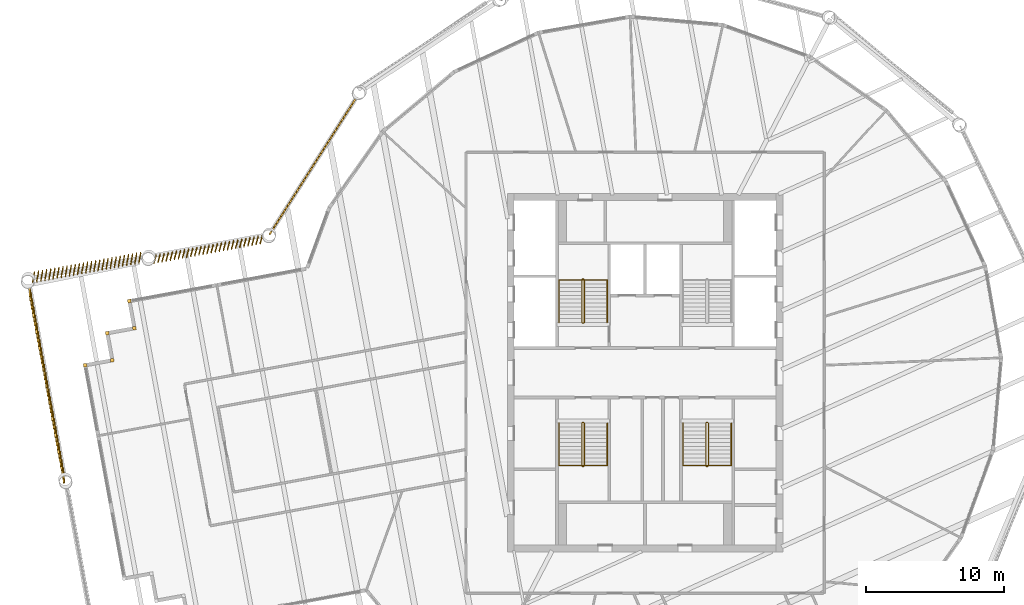
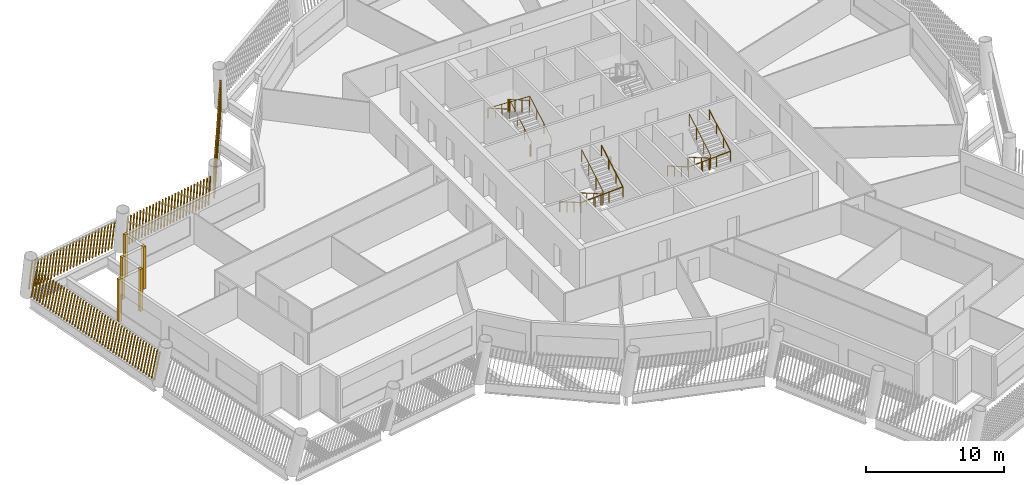
# One storey, part 12 of 15: 9 shading devices, 6 railings.
"""IFC4 building model written with IfcOpenShell, lengths in metres."""

from ifc_helpers import new_model, si_unit, direction, frame, frame_2d, origin, origin_2d, place, context, subcontext, project, spatial, rectangle, circle, composite_profile, extrude, material, type_object, element, save


model = new_model("IFC4")

# Units and contexts
model_context = context("Model", 3, precision=1e-05, world=origin(), true_north=direction((0.0, 1.0)))
body_context = subcontext(model_context, "Body", "Model", "MODEL_VIEW")
ifc_project = project(units=[si_unit("LENGTHUNIT", "METRE"), si_unit("AREAUNIT", "SQUARE_METRE"), si_unit("VOLUMEUNIT", "CUBIC_METRE"), si_unit("PLANEANGLEUNIT", "RADIAN"), si_unit("MASSUNIT", "GRAM", prefix="KILO")], contexts=[model_context])

# Site, building, storey
site_placement = place(None, origin())
site = spatial("IfcSite", under=ifc_project, at=site_placement, CompositionType="ELEMENT")
building_placement = place(site_placement, origin())
building = spatial("IfcBuilding", under=site, at=building_placement, Name="Tarsis Ring Headquarters", CompositionType="ELEMENT")
storey_placement = place(building_placement, frame((0.0, 0.0, 327.5)))
storey = spatial("IfcBuildingStorey", under=building, at=storey_placement, Name="L77", CompositionType="ELEMENT", Elevation=327.5)

# Railings
ifc_material_1 = material(Name="Steel S355", Category="steel")
railing_type_1 = type_object("IfcRailingType", Name="Core stair guard 1100", PredefinedType="GUARDRAIL", material=ifc_material_1)
railing_1_placement = place(storey_placement, frame((-4.5400390625, 3.610107421875, 0.0)))
element("IfcRailing", 1, at=railing_1_placement, inside=storey, type_object=railing_type_1, Name="L77 ST1 stair guard 1", PredefinedType="GUARDRAIL", context=body_context, shape_type="SweptSolid", body=[
    extrude(circle(Radius=0.02392578125, at=origin_2d()), frame((0.0, 0.0, 1.076171875), z_axis=(1.0, 0.0, 0.0), x_axis=(0.0, 1.0, 0.0)), (0.0, 0.0, 1.0), 0.080078125),
    extrude(circle(Radius=0.02392578125, at=origin_2d()), frame((0.080078125, 0.0, 1.076171875), z_axis=(0.282336740067, 0.280959487676, 0.917250092119), x_axis=(-0.705375805398, 0.708833529934, 0.0)), (0.0, 0.0, 1.0), 0.17724609375),
    extrude(circle(Radius=0.02392578125, at=origin_2d()), frame((0.130126953125, 0.0498046875, 1.23876953125), z_axis=(0.0, 0.864920483161, 0.501908913857), x_axis=(-1.0, 0.0, 0.0)), (0.0, 0.0, 1.0), 3.56103515625),
    extrude(circle(Radius=0.02392578125, at=origin_2d()), frame((0.130126953125, 3.1298828125, 3.02587890625), z_axis=(-0.707106781187, 0.707106781187, 0.0), x_axis=(-0.707106781187, -0.707106781187, 0.0)), (0.0, 0.0, 1.0), 0.07080078125),
    extrude(circle(Radius=0.02392578125, at=origin_2d()), frame((0.080078125, 3.179931640625, 3.02587890625), z_axis=(-1.0, 0.0, 0.0), x_axis=(0.0, -1.0, 0.0)), (0.0, 0.0, 1.0), 0.080078125),
    extrude(circle(Radius=0.02392578125, at=origin_2d()), frame((0.0, 3.179931640625, 3.02587890625), z_axis=(-0.282227285176, -0.282227285176, 0.916894497205), x_axis=(0.707106781187, -0.707106781187, 0.0)), (0.0, 0.0, 1.0), 0.17724609375),
    extrude(circle(Radius=0.02392578125, at=origin_2d()), frame((-0.050048828125, 3.1298828125, 3.1884765625), z_axis=(0.0, -0.864920483161, 0.501908913857), x_axis=(1.0, 0.0, 0.0)), (0.0, 0.0, 1.0), 3.56103515625),
    extrude(circle(Radius=0.02099609375, at=origin_2d()), origin(), (0.0, 0.0, 1.0), 1.052001953125),
    extrude(circle(Radius=0.02099609375, at=origin_2d()), frame((0.080078125, 0.0, 0.0)), (0.0, 0.0, 1.0), 1.052001953125),
    extrude(circle(Radius=0.02099609375, at=origin_2d()), frame((0.130126953125, 0.0498046875, 0.16259765625)), (0.0, 0.0, 1.0), 1.052001953125),
    extrude(circle(Radius=0.02099609375, at=origin_2d()), frame((0.130126953125, 1.076416015625, 0.75830078125)), (0.0, 0.0, 1.0), 1.052001953125),
    extrude(circle(Radius=0.02099609375, at=origin_2d()), frame((0.130126953125, 2.103271484375, 1.354248046875)), (0.0, 0.0, 1.0), 1.052001953125),
    extrude(circle(Radius=0.02099609375, at=origin_2d()), frame((0.130126953125, 3.1298828125, 1.949951171875)), (0.0, 0.0, 1.0), 1.052001953125),
    extrude(circle(Radius=0.02099609375, at=origin_2d()), frame((0.080078125, 3.179931640625, 1.949951171875)), (0.0, 0.0, 1.0), 1.052001953125),
    extrude(circle(Radius=0.02099609375, at=origin_2d()), frame((0.0, 3.179931640625, 1.949951171875)), (0.0, 0.0, 1.0), 1.052001953125),
    extrude(circle(Radius=0.02099609375, at=origin_2d()), frame((-0.050048828125, 3.1298828125, 2.112548828125)), (0.0, 0.0, 1.0), 1.052001953125),
    extrude(circle(Radius=0.02099609375, at=origin_2d()), frame((-0.050048828125, 2.103271484375, 2.708251953125)), (0.0, 0.0, 1.0), 1.052001953125),
    extrude(circle(Radius=0.02099609375, at=origin_2d()), frame((-0.050048828125, 1.076416015625, 3.30419921875)), (0.0, 0.0, 1.0), 1.052001953125),
    extrude(circle(Radius=0.02099609375, at=origin_2d()), frame((-0.050048828125, 0.0498046875, 3.89990234375)), (0.0, 0.0, 1.0), 1.052001953125),
])
railing_2_placement = place(storey_placement, frame((-4.4599609375, -3.610107421875, 0.0)))
element("IfcRailing", 2, at=railing_2_placement, inside=storey, type_object=railing_type_1, Name="L77 ST3 stair guard 1", PredefinedType="GUARDRAIL", context=body_context, shape_type="SweptSolid", body=[
    extrude(circle(Radius=0.02392578125, at=origin_2d()), frame((0.0, 0.0, 1.076171875), z_axis=(-1.0, 0.0, 0.0), x_axis=(0.0, -1.0, 0.0)), (0.0, 0.0, 1.0), 0.080078125),
    extrude(circle(Radius=0.02392578125, at=origin_2d()), frame((-0.080078125, 0.0, 1.076171875), z_axis=(-0.282336740067, -0.280959487676, 0.917250092119), x_axis=(0.705375805398, -0.708833529934, 0.0)), (0.0, 0.0, 1.0), 0.17724609375),
    extrude(circle(Radius=0.02392578125, at=origin_2d()), frame((-0.130126953125, -0.0498046875, 1.23876953125), z_axis=(0.0, -0.864920483161, 0.501908913857), x_axis=(1.0, 0.0, 0.0)), (0.0, 0.0, 1.0), 3.56103515625),
    extrude(circle(Radius=0.02392578125, at=origin_2d()), frame((-0.130126953125, -3.1298828125, 3.02587890625), z_axis=(0.707106781187, -0.707106781187, 0.0), x_axis=(0.707106781187, 0.707106781187, 0.0)), (0.0, 0.0, 1.0), 0.07080078125),
    extrude(circle(Radius=0.02392578125, at=origin_2d()), frame((-0.080078125, -3.179931640625, 3.02587890625), z_axis=(1.0, 0.0, 0.0), x_axis=(0.0, 1.0, 0.0)), (0.0, 0.0, 1.0), 0.080078125),
    extrude(circle(Radius=0.02392578125, at=origin_2d()), frame((0.0, -3.179931640625, 3.02587890625), z_axis=(0.282227285176, 0.282227285176, 0.916894497205), x_axis=(-0.707106781187, 0.707106781187, 0.0)), (0.0, 0.0, 1.0), 0.17724609375),
    extrude(circle(Radius=0.02392578125, at=origin_2d()), frame((0.050048828125, -3.1298828125, 3.1884765625), z_axis=(0.0, 0.864920483161, 0.501908913857), x_axis=(-1.0, 0.0, 0.0)), (0.0, 0.0, 1.0), 3.56103515625),
    extrude(circle(Radius=0.02099609375, at=origin_2d()), origin(), (0.0, 0.0, 1.0), 1.052001953125),
    extrude(circle(Radius=0.02099609375, at=origin_2d()), frame((-0.080078125, 0.0, 0.0)), (0.0, 0.0, 1.0), 1.052001953125),
    extrude(circle(Radius=0.02099609375, at=origin_2d()), frame((-0.130126953125, -0.0498046875, 0.16259765625)), (0.0, 0.0, 1.0), 1.052001953125),
    extrude(circle(Radius=0.02099609375, at=origin_2d()), frame((-0.130126953125, -1.076416015625, 0.75830078125)), (0.0, 0.0, 1.0), 1.052001953125),
    extrude(circle(Radius=0.02099609375, at=origin_2d()), frame((-0.130126953125, -2.103271484375, 1.354248046875)), (0.0, 0.0, 1.0), 1.052001953125),
    extrude(circle(Radius=0.02099609375, at=origin_2d()), frame((-0.130126953125, -3.1298828125, 1.949951171875)), (0.0, 0.0, 1.0), 1.052001953125),
    extrude(circle(Radius=0.02099609375, at=origin_2d()), frame((-0.080078125, -3.179931640625, 1.949951171875)), (0.0, 0.0, 1.0), 1.052001953125),
    extrude(circle(Radius=0.02099609375, at=origin_2d()), frame((0.0, -3.179931640625, 1.949951171875)), (0.0, 0.0, 1.0), 1.052001953125),
    extrude(circle(Radius=0.02099609375, at=origin_2d()), frame((0.050048828125, -3.1298828125, 2.112548828125)), (0.0, 0.0, 1.0), 1.052001953125),
    extrude(circle(Radius=0.02099609375, at=origin_2d()), frame((0.050048828125, -2.103271484375, 2.708251953125)), (0.0, 0.0, 1.0), 1.052001953125),
    extrude(circle(Radius=0.02099609375, at=origin_2d()), frame((0.050048828125, -1.076416015625, 3.30419921875)), (0.0, 0.0, 1.0), 1.052001953125),
    extrude(circle(Radius=0.02099609375, at=origin_2d()), frame((0.050048828125, -0.0498046875, 3.89990234375)), (0.0, 0.0, 1.0), 1.052001953125),
])
railing_3_placement = place(storey_placement, frame((4.5400390625, -3.610107421875, 0.0)))
element("IfcRailing", 3, at=railing_3_placement, inside=storey, type_object=railing_type_1, Name="L77 ST4 stair guard 1", PredefinedType="GUARDRAIL", context=body_context, shape_type="SweptSolid", body=[
    extrude(circle(Radius=0.02392578125, at=origin_2d()), frame((0.0, 0.0, 1.076171875), z_axis=(-1.0, 0.0, 0.0), x_axis=(0.0, -1.0, 0.0)), (0.0, 0.0, 1.0), 0.080078125),
    extrude(circle(Radius=0.02392578125, at=origin_2d()), frame((-0.080078125, 0.0, 1.076171875), z_axis=(-0.282336740067, -0.280959487676, 0.917250092119), x_axis=(0.705375805398, -0.708833529934, 0.0)), (0.0, 0.0, 1.0), 0.17724609375),
    extrude(circle(Radius=0.02392578125, at=origin_2d()), frame((-0.130126953125, -0.0498046875, 1.23876953125), z_axis=(0.0, -0.864920483161, 0.501908913857), x_axis=(1.0, 0.0, 0.0)), (0.0, 0.0, 1.0), 3.56103515625),
    extrude(circle(Radius=0.02392578125, at=origin_2d()), frame((-0.130126953125, -3.1298828125, 3.02587890625), z_axis=(0.707106781187, -0.707106781187, 0.0), x_axis=(0.707106781187, 0.707106781187, 0.0)), (0.0, 0.0, 1.0), 0.07080078125),
    extrude(circle(Radius=0.02392578125, at=origin_2d()), frame((-0.080078125, -3.179931640625, 3.02587890625), z_axis=(1.0, 0.0, 0.0), x_axis=(0.0, 1.0, 0.0)), (0.0, 0.0, 1.0), 0.080078125),
    extrude(circle(Radius=0.02392578125, at=origin_2d()), frame((0.0, -3.179931640625, 3.02587890625), z_axis=(0.282227285176, 0.282227285176, 0.916894497205), x_axis=(-0.707106781187, 0.707106781187, 0.0)), (0.0, 0.0, 1.0), 0.17724609375),
    extrude(circle(Radius=0.02392578125, at=origin_2d()), frame((0.050048828125, -3.1298828125, 3.1884765625), z_axis=(0.0, 0.864920483161, 0.501908913857), x_axis=(-1.0, 0.0, 0.0)), (0.0, 0.0, 1.0), 3.56103515625),
    extrude(circle(Radius=0.02099609375, at=origin_2d()), origin(), (0.0, 0.0, 1.0), 1.052001953125),
    extrude(circle(Radius=0.02099609375, at=origin_2d()), frame((-0.080078125, 0.0, 0.0)), (0.0, 0.0, 1.0), 1.052001953125),
    extrude(circle(Radius=0.02099609375, at=origin_2d()), frame((-0.130126953125, -0.0498046875, 0.16259765625)), (0.0, 0.0, 1.0), 1.052001953125),
    extrude(circle(Radius=0.02099609375, at=origin_2d()), frame((-0.130126953125, -1.076416015625, 0.75830078125)), (0.0, 0.0, 1.0), 1.052001953125),
    extrude(circle(Radius=0.02099609375, at=origin_2d()), frame((-0.130126953125, -2.103271484375, 1.354248046875)), (0.0, 0.0, 1.0), 1.052001953125),
    extrude(circle(Radius=0.02099609375, at=origin_2d()), frame((-0.130126953125, -3.1298828125, 1.949951171875)), (0.0, 0.0, 1.0), 1.052001953125),
    extrude(circle(Radius=0.02099609375, at=origin_2d()), frame((-0.080078125, -3.179931640625, 1.949951171875)), (0.0, 0.0, 1.0), 1.052001953125),
    extrude(circle(Radius=0.02099609375, at=origin_2d()), frame((0.0, -3.179931640625, 1.949951171875)), (0.0, 0.0, 1.0), 1.052001953125),
    extrude(circle(Radius=0.02099609375, at=origin_2d()), frame((0.050048828125, -3.1298828125, 2.112548828125)), (0.0, 0.0, 1.0), 1.052001953125),
    extrude(circle(Radius=0.02099609375, at=origin_2d()), frame((0.050048828125, -2.103271484375, 2.708251953125)), (0.0, 0.0, 1.0), 1.052001953125),
    extrude(circle(Radius=0.02099609375, at=origin_2d()), frame((0.050048828125, -1.076416015625, 3.30419921875)), (0.0, 0.0, 1.0), 1.052001953125),
    extrude(circle(Radius=0.02099609375, at=origin_2d()), frame((0.050048828125, -0.0498046875, 3.89990234375)), (0.0, 0.0, 1.0), 1.052001953125),
])
railing_type_2 = type_object("IfcRailingType", Name="Core stair handrail 900", PredefinedType="HANDRAIL", material=ifc_material_1)
railing_4_placement = place(storey_placement, frame((-2.75, 3.659912109375, 0.16259765625)))
element("IfcRailing", 4, at=railing_4_placement, inside=storey, type_object=railing_type_2, Name="L77 ST1 stair handrail 1", PredefinedType="HANDRAIL", context=body_context, shape_type="SweptSolid", body=[
    extrude(circle(Radius=0.02392578125, at=origin_2d()), frame((0.0, 0.0, 0.8759765625), z_axis=(0.0, 0.864920483161, 0.501908913857), x_axis=(-1.0, 0.0, 0.0)), (0.0, 0.0, 1.0), 3.56103515625),
    extrude(circle(Radius=0.02392578125, at=origin_2d()), frame((0.0, 3.080078125, 2.6630859375), z_axis=(-0.998922641604, 0.0, 0.046406422943), x_axis=(0.0, -1.0, 0.0)), (0.0, 0.0, 1.0), 3.503662109375),
    extrude(circle(Radius=0.02392578125, at=origin_2d()), frame((-3.5, 3.080078125, 2.82568359375), z_axis=(0.0, -0.864920483161, 0.501908913857), x_axis=(1.0, 0.0, 0.0)), (0.0, 0.0, 1.0), 3.56103515625),
    extrude(circle(Radius=0.02099609375, at=origin_2d()), origin(), (0.0, 0.0, 1.0), 0.851806640625),
    extrude(circle(Radius=0.02099609375, at=origin_2d()), frame((0.0, 1.026611328125, 0.595703125)), (0.0, 0.0, 1.0), 0.851806640625),
    extrude(circle(Radius=0.02099609375, at=origin_2d()), frame((0.0, 2.053466796875, 1.191650390625)), (0.0, 0.0, 1.0), 0.851806640625),
    extrude(circle(Radius=0.02099609375, at=origin_2d()), frame((0.0, 3.080078125, 1.787353515625)), (0.0, 0.0, 1.0), 0.851806640625),
    extrude(circle(Radius=0.02099609375, at=origin_2d()), frame((-1.166748046875, 3.080078125, 1.841552734375)), (0.0, 0.0, 1.0), 0.851806640625),
    extrude(circle(Radius=0.02099609375, at=origin_2d()), frame((-2.333251953125, 3.080078125, 1.895751953125)), (0.0, 0.0, 1.0), 0.851806640625),
    extrude(circle(Radius=0.02099609375, at=origin_2d()), frame((-3.5, 3.080078125, 1.949951171875)), (0.0, 0.0, 1.0), 0.851806640625),
    extrude(circle(Radius=0.02099609375, at=origin_2d()), frame((-3.5, 2.053466796875, 2.545654296875)), (0.0, 0.0, 1.0), 0.851806640625),
    extrude(circle(Radius=0.02099609375, at=origin_2d()), frame((-3.5, 1.026611328125, 3.1416015625)), (0.0, 0.0, 1.0), 0.851806640625),
    extrude(circle(Radius=0.02099609375, at=origin_2d()), frame((-3.5, 0.0, 3.7373046875)), (0.0, 0.0, 1.0), 0.851806640625),
])
railing_5_placement = place(storey_placement, frame((-6.25, -3.659912109375, 0.16259765625)))
element("IfcRailing", 5, at=railing_5_placement, inside=storey, type_object=railing_type_2, Name="L77 ST3 stair handrail 1", PredefinedType="HANDRAIL", context=body_context, shape_type="SweptSolid", body=[
    extrude(circle(Radius=0.02392578125, at=origin_2d()), frame((0.0, 0.0, 0.8759765625), z_axis=(0.0, -0.864920483161, 0.501908913857), x_axis=(1.0, 0.0, 0.0)), (0.0, 0.0, 1.0), 3.56103515625),
    extrude(circle(Radius=0.02392578125, at=origin_2d()), frame((0.0, -3.080078125, 2.6630859375), z_axis=(0.998922641604, 0.0, 0.046406422943), x_axis=(0.0, 1.0, 0.0)), (0.0, 0.0, 1.0), 3.503662109375),
    extrude(circle(Radius=0.02392578125, at=origin_2d()), frame((3.5, -3.080078125, 2.82568359375), z_axis=(0.0, 0.864920483161, 0.501908913857), x_axis=(-1.0, 0.0, 0.0)), (0.0, 0.0, 1.0), 3.56103515625),
    extrude(circle(Radius=0.02099609375, at=origin_2d()), origin(), (0.0, 0.0, 1.0), 0.851806640625),
    extrude(circle(Radius=0.02099609375, at=origin_2d()), frame((0.0, -1.026611328125, 0.595703125)), (0.0, 0.0, 1.0), 0.851806640625),
    extrude(circle(Radius=0.02099609375, at=origin_2d()), frame((0.0, -2.053466796875, 1.191650390625)), (0.0, 0.0, 1.0), 0.851806640625),
    extrude(circle(Radius=0.02099609375, at=origin_2d()), frame((0.0, -3.080078125, 1.787353515625)), (0.0, 0.0, 1.0), 0.851806640625),
    extrude(circle(Radius=0.02099609375, at=origin_2d()), frame((1.166748046875, -3.080078125, 1.841552734375)), (0.0, 0.0, 1.0), 0.851806640625),
    extrude(circle(Radius=0.02099609375, at=origin_2d()), frame((2.333251953125, -3.080078125, 1.895751953125)), (0.0, 0.0, 1.0), 0.851806640625),
    extrude(circle(Radius=0.02099609375, at=origin_2d()), frame((3.5, -3.080078125, 1.949951171875)), (0.0, 0.0, 1.0), 0.851806640625),
    extrude(circle(Radius=0.02099609375, at=origin_2d()), frame((3.5, -2.053466796875, 2.545654296875)), (0.0, 0.0, 1.0), 0.851806640625),
    extrude(circle(Radius=0.02099609375, at=origin_2d()), frame((3.5, -1.026611328125, 3.1416015625)), (0.0, 0.0, 1.0), 0.851806640625),
    extrude(circle(Radius=0.02099609375, at=origin_2d()), frame((3.5, 0.0, 3.7373046875)), (0.0, 0.0, 1.0), 0.851806640625),
])
railing_6_placement = place(storey_placement, frame((2.75, -3.659912109375, 0.16259765625)))
element("IfcRailing", 6, at=railing_6_placement, inside=storey, type_object=railing_type_2, Name="L77 ST4 stair handrail 1", PredefinedType="HANDRAIL", context=body_context, shape_type="SweptSolid", body=[
    extrude(circle(Radius=0.02392578125, at=origin_2d()), frame((0.0, 0.0, 0.8759765625), z_axis=(0.0, -0.864920483161, 0.501908913857), x_axis=(1.0, 0.0, 0.0)), (0.0, 0.0, 1.0), 3.56103515625),
    extrude(circle(Radius=0.02392578125, at=origin_2d()), frame((0.0, -3.080078125, 2.6630859375), z_axis=(0.998922641604, 0.0, 0.046406422943), x_axis=(0.0, 1.0, 0.0)), (0.0, 0.0, 1.0), 3.503662109375),
    extrude(circle(Radius=0.02392578125, at=origin_2d()), frame((3.5, -3.080078125, 2.82568359375), z_axis=(0.0, 0.864920483161, 0.501908913857), x_axis=(-1.0, 0.0, 0.0)), (0.0, 0.0, 1.0), 3.56103515625),
    extrude(circle(Radius=0.02099609375, at=origin_2d()), origin(), (0.0, 0.0, 1.0), 0.851806640625),
    extrude(circle(Radius=0.02099609375, at=origin_2d()), frame((0.0, -1.026611328125, 0.595703125)), (0.0, 0.0, 1.0), 0.851806640625),
    extrude(circle(Radius=0.02099609375, at=origin_2d()), frame((0.0, -2.053466796875, 1.191650390625)), (0.0, 0.0, 1.0), 0.851806640625),
    extrude(circle(Radius=0.02099609375, at=origin_2d()), frame((0.0, -3.080078125, 1.787353515625)), (0.0, 0.0, 1.0), 0.851806640625),
    extrude(circle(Radius=0.02099609375, at=origin_2d()), frame((1.166748046875, -3.080078125, 1.841552734375)), (0.0, 0.0, 1.0), 0.851806640625),
    extrude(circle(Radius=0.02099609375, at=origin_2d()), frame((2.333251953125, -3.080078125, 1.895751953125)), (0.0, 0.0, 1.0), 0.851806640625),
    extrude(circle(Radius=0.02099609375, at=origin_2d()), frame((3.5, -3.080078125, 1.949951171875)), (0.0, 0.0, 1.0), 0.851806640625),
    extrude(circle(Radius=0.02099609375, at=origin_2d()), frame((3.5, -2.053466796875, 2.545654296875)), (0.0, 0.0, 1.0), 0.851806640625),
    extrude(circle(Radius=0.02099609375, at=origin_2d()), frame((3.5, -1.026611328125, 3.1416015625)), (0.0, 0.0, 1.0), 0.851806640625),
    extrude(circle(Radius=0.02099609375, at=origin_2d()), frame((3.5, 0.0, 3.7373046875)), (0.0, 0.0, 1.0), 0.851806640625),
])

# Shading devices
ifc_material_2 = material(Name="Terracotta baguette", Category="masonry")
shading_device_type_1 = type_object("IfcShadingDeviceType", Name="Terracotta baguette screen", PredefinedType="USERDEFINED", material=ifc_material_2)
shading_device_1_placement = place(storey_placement, frame((-20.9609375, 19.96435546875, 0.0), z_axis=(0.0, 0.0, 1.0), x_axis=(-0.535843733044, -0.844319045035, 0.0)))
element("IfcShadingDevice", 7, at=shading_device_1_placement, inside=storey, type_object=shading_device_type_1, Name="Baguette screen L77-14", ObjectType="Terracotta baguette screen", PredefinedType="USERDEFINED", context=body_context, shape_type="SweptSolid", body=[
    extrude(composite_profile([rectangle(XDim=0.06005859375, YDim=0.1201171875, at=frame_2d((0.030029296875, 0.0))), rectangle(XDim=0.06005859375, YDim=0.1201171875, at=frame_2d((0.33251953125, 0.0))), rectangle(XDim=0.06005859375, YDim=0.1201171875, at=frame_2d((0.634765625, 0.0))), rectangle(XDim=0.06005859375, YDim=0.1201171875, at=frame_2d((0.937255859375, 0.0))), rectangle(XDim=0.06005859375, YDim=0.1201171875, at=frame_2d((1.239501953125, 0.0))), rectangle(XDim=0.06005859375, YDim=0.1201171875, at=frame_2d((1.5419921875, 0.0))), rectangle(XDim=0.06005859375, YDim=0.1201171875, at=frame_2d((1.844482421875, 0.0))), rectangle(XDim=0.06005859375, YDim=0.1201171875, at=frame_2d((2.146728515625, 0.0))), rectangle(XDim=0.06005859375, YDim=0.1201171875, at=frame_2d((2.44921875, 0.0))), rectangle(XDim=0.06005859375, YDim=0.1201171875, at=frame_2d((2.751708984375, 0.0))), rectangle(XDim=0.06005859375, YDim=0.1201171875, at=frame_2d((3.053955078125, 0.0))), rectangle(XDim=0.06005859375, YDim=0.1201171875, at=frame_2d((3.3564453125, 0.0))), rectangle(XDim=0.06005859375, YDim=0.1201171875, at=frame_2d((3.65869140625, 0.0))), rectangle(XDim=0.06005859375, YDim=0.1201171875, at=frame_2d((3.961181640625, 0.0))), rectangle(XDim=0.06005859375, YDim=0.1201171875, at=frame_2d((4.263671875, 0.0))), rectangle(XDim=0.06005859375, YDim=0.1201171875, at=frame_2d((4.56591796875, 0.0))), rectangle(XDim=0.06005859375, YDim=0.1201171875, at=frame_2d((4.868408203125, 0.0))), rectangle(XDim=0.06005859375, YDim=0.1201171875, at=frame_2d((5.1708984375, 0.0))), rectangle(XDim=0.06005859375, YDim=0.1201171875, at=frame_2d((5.47314453125, 0.0))), rectangle(XDim=0.06005859375, YDim=0.1201171875, at=frame_2d((5.775634765625, 0.0))), rectangle(XDim=0.06005859375, YDim=0.1201171875, at=frame_2d((6.077880859375, 0.0))), rectangle(XDim=0.06005859375, YDim=0.1201171875, at=frame_2d((6.38037109375, 0.0))), rectangle(XDim=0.06005859375, YDim=0.1201171875, at=frame_2d((6.682861328125, 0.0))), rectangle(XDim=0.06005859375, YDim=0.1201171875, at=frame_2d((6.985107421875, 0.0))), rectangle(XDim=0.06005859375, YDim=0.1201171875, at=frame_2d((7.28759765625, 0.0))), rectangle(XDim=0.06005859375, YDim=0.1201171875, at=frame_2d((7.590087890625, 0.0))), rectangle(XDim=0.06005859375, YDim=0.1201171875, at=frame_2d((7.892333984375, 0.0))), rectangle(XDim=0.06005859375, YDim=0.1201171875, at=frame_2d((8.19482421875, 0.0))), rectangle(XDim=0.06005859375, YDim=0.1201171875, at=frame_2d((8.4970703125, 0.0))), rectangle(XDim=0.06005859375, YDim=0.1201171875, at=frame_2d((8.799560546875, 0.0))), rectangle(XDim=0.06005859375, YDim=0.1201171875, at=frame_2d((9.10205078125, 0.0))), rectangle(XDim=0.06005859375, YDim=0.1201171875, at=frame_2d((9.404296875, 0.0))), rectangle(XDim=0.06005859375, YDim=0.1201171875, at=frame_2d((9.706787109375, 0.0))), rectangle(XDim=0.06005859375, YDim=0.1201171875, at=frame_2d((10.00927734375, 0.0))), rectangle(XDim=0.06005859375, YDim=0.1201171875, at=frame_2d((10.3115234375, 0.0))), rectangle(XDim=0.06005859375, YDim=0.1201171875, at=frame_2d((10.614013671875, 0.0))), rectangle(XDim=0.06005859375, YDim=0.1201171875, at=frame_2d((10.916259765625, 0.0))), rectangle(XDim=0.06005859375, YDim=0.1201171875, at=frame_2d((11.21875, 0.0)))]), origin(), (0.171101715959, 0.001552633496, 0.985252146471), 3.01220703125),
])
shading_device_2_placement = place(storey_placement, frame((-27.748291015625, 9.954345703125, 0.0), z_axis=(0.0, 0.0, 1.0), x_axis=(-0.983564013841, -0.180517795353, 0.0)))
element("IfcShadingDevice", 8, at=shading_device_2_placement, inside=storey, type_object=shading_device_type_1, Name="Baguette screen L77-15", ObjectType="Terracotta baguette screen", PredefinedType="USERDEFINED", context=body_context, shape_type="SweptSolid", body=[
    extrude(composite_profile([rectangle(XDim=0.06005859375, YDim=0.1201171875, at=frame_2d((0.030029296875, 0.0))), rectangle(XDim=0.06005859375, YDim=0.1201171875, at=frame_2d((0.33154296875, 0.0))), rectangle(XDim=0.06005859375, YDim=0.1201171875, at=frame_2d((0.63330078125, 0.0))), rectangle(XDim=0.06005859375, YDim=0.1201171875, at=frame_2d((0.934814453125, 0.0))), rectangle(XDim=0.06005859375, YDim=0.1201171875, at=frame_2d((1.236572265625, 0.0))), rectangle(XDim=0.06005859375, YDim=0.1201171875, at=frame_2d((1.5380859375, 0.0))), rectangle(XDim=0.06005859375, YDim=0.1201171875, at=frame_2d((1.83984375, 0.0))), rectangle(XDim=0.06005859375, YDim=0.1201171875, at=frame_2d((2.141357421875, 0.0))), rectangle(XDim=0.06005859375, YDim=0.1201171875, at=frame_2d((2.443115234375, 0.0))), rectangle(XDim=0.06005859375, YDim=0.1201171875, at=frame_2d((2.74462890625, 0.0))), rectangle(XDim=0.06005859375, YDim=0.1201171875, at=frame_2d((3.04638671875, 0.0))), rectangle(XDim=0.06005859375, YDim=0.1201171875, at=frame_2d((3.347900390625, 0.0))), rectangle(XDim=0.06005859375, YDim=0.1201171875, at=frame_2d((3.649658203125, 0.0))), rectangle(XDim=0.06005859375, YDim=0.1201171875, at=frame_2d((3.951171875, 0.0))), rectangle(XDim=0.06005859375, YDim=0.1201171875, at=frame_2d((4.252685546875, 0.0))), rectangle(XDim=0.06005859375, YDim=0.1201171875, at=frame_2d((4.554443359375, 0.0))), rectangle(XDim=0.06005859375, YDim=0.1201171875, at=frame_2d((4.85595703125, 0.0))), rectangle(XDim=0.06005859375, YDim=0.1201171875, at=frame_2d((5.15771484375, 0.0))), rectangle(XDim=0.06005859375, YDim=0.1201171875, at=frame_2d((5.459228515625, 0.0))), rectangle(XDim=0.06005859375, YDim=0.1201171875, at=frame_2d((5.760986328125, 0.0))), rectangle(XDim=0.06005859375, YDim=0.1201171875, at=frame_2d((6.0625, 0.0))), rectangle(XDim=0.06005859375, YDim=0.1201171875, at=frame_2d((6.3642578125, 0.0))), rectangle(XDim=0.06005859375, YDim=0.1201171875, at=frame_2d((6.665771484375, 0.0))), rectangle(XDim=0.06005859375, YDim=0.1201171875, at=frame_2d((6.967529296875, 0.0))), rectangle(XDim=0.06005859375, YDim=0.1201171875, at=frame_2d((7.26904296875, 0.0))), rectangle(XDim=0.06005859375, YDim=0.1201171875, at=frame_2d((7.57080078125, 0.0))), rectangle(XDim=0.06005859375, YDim=0.1201171875, at=frame_2d((7.872314453125, 0.0)))]), origin(), (0.087126953894, 0.177344313065, 0.98028459568), 3.02734375),
])
shading_device_3_placement = place(storey_placement, frame((-36.572021484375, 8.71630859375, 0.0), z_axis=(0.0, 0.0, 1.0), x_axis=(-0.983564013841, -0.180517795353, 0.0)))
element("IfcShadingDevice", 9, at=shading_device_3_placement, inside=storey, type_object=shading_device_type_1, Name="Baguette screen L77-16", ObjectType="Terracotta baguette screen", PredefinedType="USERDEFINED", context=body_context, shape_type="SweptSolid", body=[
    extrude(composite_profile([rectangle(XDim=0.06005859375, YDim=0.1201171875, at=frame_2d((0.030029296875, 0.0))), rectangle(XDim=0.06005859375, YDim=0.1201171875, at=frame_2d((0.33154296875, 0.0))), rectangle(XDim=0.06005859375, YDim=0.1201171875, at=frame_2d((0.63330078125, 0.0))), rectangle(XDim=0.06005859375, YDim=0.1201171875, at=frame_2d((0.934814453125, 0.0))), rectangle(XDim=0.06005859375, YDim=0.1201171875, at=frame_2d((1.236572265625, 0.0))), rectangle(XDim=0.06005859375, YDim=0.1201171875, at=frame_2d((1.5380859375, 0.0))), rectangle(XDim=0.06005859375, YDim=0.1201171875, at=frame_2d((1.83984375, 0.0))), rectangle(XDim=0.06005859375, YDim=0.1201171875, at=frame_2d((2.141357421875, 0.0))), rectangle(XDim=0.06005859375, YDim=0.1201171875, at=frame_2d((2.443115234375, 0.0))), rectangle(XDim=0.06005859375, YDim=0.1201171875, at=frame_2d((2.74462890625, 0.0))), rectangle(XDim=0.06005859375, YDim=0.1201171875, at=frame_2d((3.04638671875, 0.0))), rectangle(XDim=0.06005859375, YDim=0.1201171875, at=frame_2d((3.347900390625, 0.0))), rectangle(XDim=0.06005859375, YDim=0.1201171875, at=frame_2d((3.649658203125, 0.0))), rectangle(XDim=0.06005859375, YDim=0.1201171875, at=frame_2d((3.951171875, 0.0))), rectangle(XDim=0.06005859375, YDim=0.1201171875, at=frame_2d((4.252685546875, 0.0))), rectangle(XDim=0.06005859375, YDim=0.1201171875, at=frame_2d((4.554443359375, 0.0))), rectangle(XDim=0.06005859375, YDim=0.1201171875, at=frame_2d((4.85595703125, 0.0))), rectangle(XDim=0.06005859375, YDim=0.1201171875, at=frame_2d((5.15771484375, 0.0))), rectangle(XDim=0.06005859375, YDim=0.1201171875, at=frame_2d((5.459228515625, 0.0))), rectangle(XDim=0.06005859375, YDim=0.1201171875, at=frame_2d((5.760986328125, 0.0))), rectangle(XDim=0.06005859375, YDim=0.1201171875, at=frame_2d((6.0625, 0.0))), rectangle(XDim=0.06005859375, YDim=0.1201171875, at=frame_2d((6.3642578125, 0.0))), rectangle(XDim=0.06005859375, YDim=0.1201171875, at=frame_2d((6.665771484375, 0.0))), rectangle(XDim=0.06005859375, YDim=0.1201171875, at=frame_2d((6.967529296875, 0.0))), rectangle(XDim=0.06005859375, YDim=0.1201171875, at=frame_2d((7.26904296875, 0.0))), rectangle(XDim=0.06005859375, YDim=0.1201171875, at=frame_2d((7.57080078125, 0.0))), rectangle(XDim=0.06005859375, YDim=0.1201171875, at=frame_2d((7.872314453125, 0.0)))]), origin(), (0.087924594621, 0.228227428943, 0.969629571712), 3.060791015625),
])
shading_device_4_placement = place(storey_placement, frame((-44.67822265625, 6.3388671875, 0.0), z_axis=(0.0, 0.0, 1.0), x_axis=(0.180521892968, -0.983564794339, 0.0)))
element("IfcShadingDevice", 10, at=shading_device_4_placement, inside=storey, type_object=shading_device_type_1, Name="Baguette screen L77-17", ObjectType="Terracotta baguette screen", PredefinedType="USERDEFINED", context=body_context, shape_type="SweptSolid", body=[
    extrude(composite_profile([rectangle(XDim=0.06005859375, YDim=0.1201171875, at=frame_2d((0.030029296875, 0.0))), rectangle(XDim=0.06005859375, YDim=0.1201171875, at=frame_2d((0.33544921875, 0.0))), rectangle(XDim=0.06005859375, YDim=0.1201171875, at=frame_2d((0.640625, 0.0))), rectangle(XDim=0.06005859375, YDim=0.1201171875, at=frame_2d((0.946044921875, 0.0))), rectangle(XDim=0.06005859375, YDim=0.1201171875, at=frame_2d((1.25146484375, 0.0))), rectangle(XDim=0.06005859375, YDim=0.1201171875, at=frame_2d((1.556640625, 0.0))), rectangle(XDim=0.06005859375, YDim=0.1201171875, at=frame_2d((1.862060546875, 0.0))), rectangle(XDim=0.06005859375, YDim=0.1201171875, at=frame_2d((2.16748046875, 0.0))), rectangle(XDim=0.06005859375, YDim=0.1201171875, at=frame_2d((2.47265625, 0.0))), rectangle(XDim=0.06005859375, YDim=0.1201171875, at=frame_2d((2.778076171875, 0.0))), rectangle(XDim=0.06005859375, YDim=0.1201171875, at=frame_2d((3.08349609375, 0.0))), rectangle(XDim=0.06005859375, YDim=0.1201171875, at=frame_2d((3.388671875, 0.0))), rectangle(XDim=0.06005859375, YDim=0.1201171875, at=frame_2d((3.694091796875, 0.0))), rectangle(XDim=0.06005859375, YDim=0.1201171875, at=frame_2d((3.99951171875, 0.0))), rectangle(XDim=0.06005859375, YDim=0.1201171875, at=frame_2d((4.3046875, 0.0))), rectangle(XDim=0.06005859375, YDim=0.1201171875, at=frame_2d((4.610107421875, 0.0))), rectangle(XDim=0.06005859375, YDim=0.1201171875, at=frame_2d((4.91552734375, 0.0))), rectangle(XDim=0.06005859375, YDim=0.1201171875, at=frame_2d((5.220703125, 0.0))), rectangle(XDim=0.06005859375, YDim=0.1201171875, at=frame_2d((5.526123046875, 0.0))), rectangle(XDim=0.06005859375, YDim=0.1201171875, at=frame_2d((5.83154296875, 0.0))), rectangle(XDim=0.06005859375, YDim=0.1201171875, at=frame_2d((6.13671875, 0.0))), rectangle(XDim=0.06005859375, YDim=0.1201171875, at=frame_2d((6.442138671875, 0.0))), rectangle(XDim=0.06005859375, YDim=0.1201171875, at=frame_2d((6.74755859375, 0.0))), rectangle(XDim=0.06005859375, YDim=0.1201171875, at=frame_2d((7.052734375, 0.0))), rectangle(XDim=0.06005859375, YDim=0.1201171875, at=frame_2d((7.358154296875, 0.0))), rectangle(XDim=0.06005859375, YDim=0.1201171875, at=frame_2d((7.66357421875, 0.0))), rectangle(XDim=0.06005859375, YDim=0.1201171875, at=frame_2d((7.96875, 0.0))), rectangle(XDim=0.06005859375, YDim=0.1201171875, at=frame_2d((8.274169921875, 0.0))), rectangle(XDim=0.06005859375, YDim=0.1201171875, at=frame_2d((8.57958984375, 0.0))), rectangle(XDim=0.06005859375, YDim=0.1201171875, at=frame_2d((8.884765625, 0.0))), rectangle(XDim=0.06005859375, YDim=0.1201171875, at=frame_2d((9.190185546875, 0.0))), rectangle(XDim=0.06005859375, YDim=0.1201171875, at=frame_2d((9.49560546875, 0.0))), rectangle(XDim=0.06005859375, YDim=0.1201171875, at=frame_2d((9.80078125, 0.0))), rectangle(XDim=0.06005859375, YDim=0.1201171875, at=frame_2d((10.106201171875, 0.0))), rectangle(XDim=0.06005859375, YDim=0.1201171875, at=frame_2d((10.41162109375, 0.0))), rectangle(XDim=0.06005859375, YDim=0.1201171875, at=frame_2d((10.716796875, 0.0))), rectangle(XDim=0.06005859375, YDim=0.1201171875, at=frame_2d((11.022216796875, 0.0))), rectangle(XDim=0.06005859375, YDim=0.1201171875, at=frame_2d((11.32763671875, 0.0))), rectangle(XDim=0.06005859375, YDim=0.1201171875, at=frame_2d((11.6328125, 0.0))), rectangle(XDim=0.06005859375, YDim=0.1201171875, at=frame_2d((11.938232421875, 0.0))), rectangle(XDim=0.06005859375, YDim=0.1201171875, at=frame_2d((12.24365234375, 0.0))), rectangle(XDim=0.06005859375, YDim=0.1201171875, at=frame_2d((12.548828125, 0.0))), rectangle(XDim=0.06005859375, YDim=0.1201171875, at=frame_2d((12.854248046875, 0.0))), rectangle(XDim=0.06005859375, YDim=0.1201171875, at=frame_2d((13.15966796875, 0.0))), rectangle(XDim=0.06005859375, YDim=0.1201171875, at=frame_2d((13.46484375, 0.0))), rectangle(XDim=0.06005859375, YDim=0.1201171875, at=frame_2d((13.770263671875, 0.0)))]), origin(), (0.253378709004, -0.041444915896, 0.96647894378), 3.07080078125),
])
shading_device_type_2 = type_object("IfcShadingDeviceType", Name="Terracotta corner baguette 250x250", PredefinedType="USERDEFINED", material=ifc_material_2)
for number, where, z_axis, x_axis, name in (
    (11, (-37.42919921875, 5.203857421875, 0.0), (0.0, 0.0, 1.0), (-0.983571477115, -0.180519110917, 0.0), "Corner baguette L77-32"),
    (12, (-37.068359375, 3.236572265625, 0.0), (0.0, 0.0, 1.0), (0.180518904919, -0.983571514923, 0.0), "Corner baguette L77-33"),
    (13, (-39.035400390625, 2.87548828125, 0.0), (0.0, 0.0, 1.0), (-0.983571480265, -0.180519093751, 0.0), "Corner baguette L77-34"),
    (14, (-38.67431640625, 0.908447265625, 0.0), (0.0, 0.0, 1.0), (0.180519007918, -0.983571496019, 0.0), "Corner baguette L77-35"),
    (15, (-40.6416015625, 0.54736328125, 0.0), (0.0, 0.0, 1.0), (-0.983571496019, -0.180519007918, 0.0), "Corner baguette L77-36"),
):
    element("IfcShadingDevice", number, at=place(storey_placement, frame(where, z_axis=z_axis, x_axis=x_axis)), inside=storey, type_object=shading_device_type_2, Name=name, ObjectType="Terracotta corner baguette", PredefinedType="USERDEFINED", context=body_context, shape_type="SweptSolid", body=[
        extrude(rectangle(XDim=0.25, YDim=0.25, at=origin_2d()), origin(), (0.0, 0.0, 1.0), 3.739990234375),
    ])

save(model, "model.ifc")
